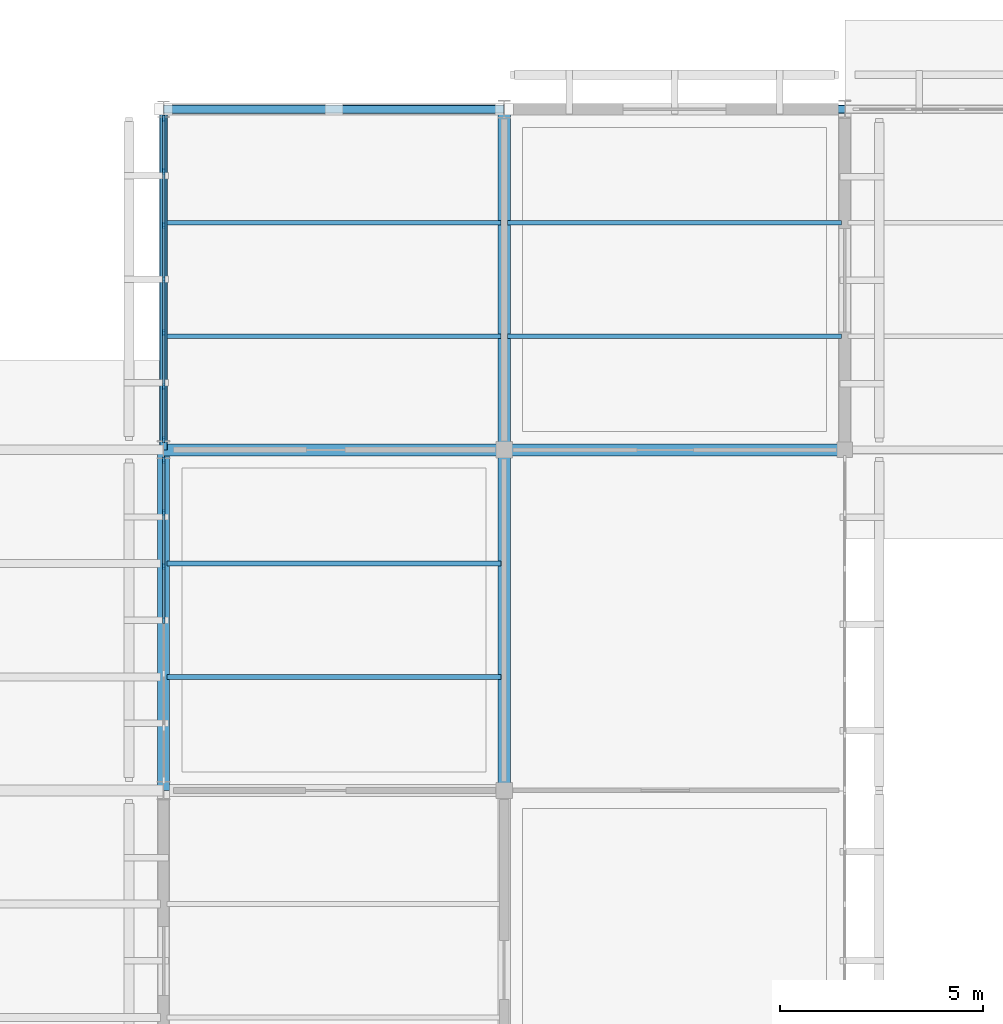
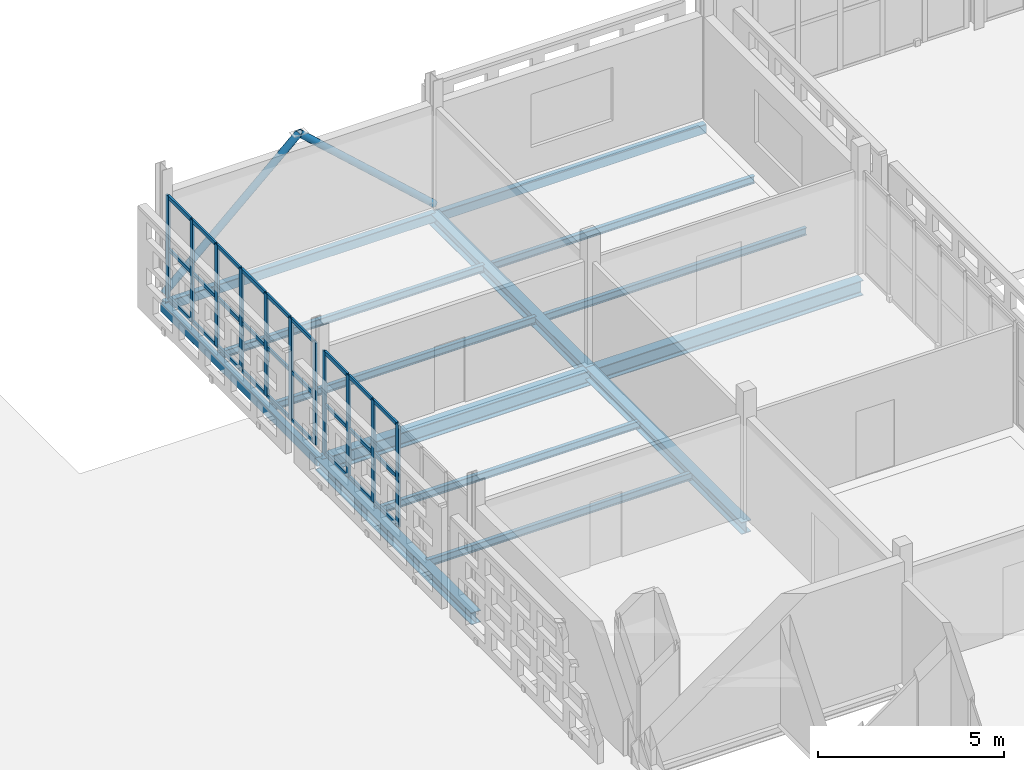
# One storey, part 42 of 166: 40 members, 14 beams, 2 elements without a shape of their own.
"""IFC4 building model written with IfcOpenShell, lengths in metres."""

from ifc_helpers import new_model, si_unit, direction, frame, origin, origin_2d, place, context, subcontext, project, spatial, rectangle, hollow_rectangle, hollow_circle, i_section, extrude, material, layer, layer_set, material_profile, profile_set, type_object, element, aggregate, save


model = new_model("IFC4")

# Units and contexts
model_context = context("Model", 3, precision=1e-05, world=origin(), true_north=direction((0.0, 1.0)))
body_context = subcontext(model_context, "Body", "Model", "MODEL_VIEW")
ifc_project = project(units=[si_unit("LENGTHUNIT", "METRE"), si_unit("AREAUNIT", "SQUARE_METRE"), si_unit("VOLUMEUNIT", "CUBIC_METRE"), si_unit("PLANEANGLEUNIT", "RADIAN"), si_unit("MASSUNIT", "GRAM", prefix="KILO")], contexts=[model_context])

# Site, building, storey
site_placement = place(None, origin())
site = spatial("IfcSite", under=ifc_project, at=site_placement, CompositionType="ELEMENT")
building_placement = place(site_placement, origin())
building = spatial("IfcBuilding", under=site, at=building_placement, Name="Varnapada Polytechnic", CompositionType="ELEMENT")
storey_placement = place(building_placement, frame((0.0, 0.0, 9.60009765625)))
storey = spatial("IfcBuildingStorey", under=building, at=storey_placement, Name="L02", CompositionType="ELEMENT", Elevation=9.60009765625)

# Curtain wall, members
ifc_material_1 = material(Name="Double low-E laminated glass", Category="glass")
ifc_layer = layer(ifc_material_1, 0.159912109375)
ifc_layer_set = layer_set([ifc_layer], Name="Double low-E laminated glass")
curtain_wall_type = type_object("IfcCurtainWallType", Name="Curtain Wall CW-02", PredefinedType="NOTDEFINED", material=ifc_layer_set)
curtain_wall_1_placement = place(storey_placement, origin())
curtain_wall_1 = element("IfcCurtainWall", 1, at=curtain_wall_1_placement, inside=storey, type_object=curtain_wall_type, Name="L02 unitised curtain wall CW-02 (160)", PredefinedType="NOTDEFINED")
ifc_material_2 = material(Name="Anodised aluminium", Category="aluminium")
ifc_material_profile_1 = material_profile(ifc_material_2, rectangle(XDim=0.06005859375, YDim=0.159912109375, at=origin_2d()), Name="ALU M60x160")
ifc_profile_set_1 = profile_set([ifc_material_profile_1], Name="Anodised aluminium")
member_type_1 = type_object("IfcMemberType", Name="Mullion M-01", PredefinedType="MULLION", material=ifc_profile_set_1)
member_1_placement = place(storey_placement, frame((50.39990234375, 113.39990234375, 0.0), z_axis=(0.0, 0.0, 1.0), x_axis=(-1.0, 0.0, 0.0)))
member_1 = element("IfcMember", 2, at=member_1_placement, type_object=member_type_1, Name="CW-02 mullion 4", PredefinedType="MULLION", context=body_context, shape_type="SweptSolid", body=[
    extrude(rectangle(XDim=0.06005859375, YDim=0.159912109375, at=origin_2d()), origin(), (0.0, 0.0, 1.0), 3.35986328125),
])
member_2_placement = place(storey_placement, frame((50.39990234375, 114.72509765625, 0.0), z_axis=(0.0, 0.0, 1.0), x_axis=(-1.0, 0.0, 0.0)))
member_2 = element("IfcMember", 3, at=member_2_placement, type_object=member_type_1, Name="CW-02 mullion 5", PredefinedType="MULLION", context=body_context, shape_type="SweptSolid", body=[
    extrude(rectangle(XDim=0.06005859375, YDim=0.159912109375, at=origin_2d()), origin(), (0.0, 0.0, 1.0), 3.35986328125),
])
member_3_placement = place(storey_placement, frame((50.39990234375, 116.050048828125, 0.0), z_axis=(0.0, 0.0, 1.0), x_axis=(-1.0, 0.0, 0.0)))
member_3 = element("IfcMember", 4, at=member_3_placement, type_object=member_type_1, Name="CW-02 mullion 6", PredefinedType="MULLION", context=body_context, shape_type="SweptSolid", body=[
    extrude(rectangle(XDim=0.06005859375, YDim=0.159912109375, at=origin_2d()), origin(), (0.0, 0.0, 1.0), 3.35986328125),
])
member_4_placement = place(storey_placement, frame((50.39990234375, 117.344970703125, 0.0), z_axis=(0.0, 0.0, 1.0), x_axis=(-1.0, 0.0, 0.0)))
member_4 = element("IfcMember", 5, at=member_4_placement, type_object=member_type_1, Name="CW-02 mullion 7", PredefinedType="MULLION", context=body_context, shape_type="SweptSolid", body=[
    extrude(rectangle(XDim=0.06005859375, YDim=0.159912109375, at=origin_2d()), origin(), (0.0, 0.0, 1.0), 3.35986328125),
])

curtain_wall_2_placement = place(storey_placement, origin())
curtain_wall_2 = element("IfcCurtainWall", 6, at=curtain_wall_2_placement, inside=storey, type_object=curtain_wall_type, Name="L02 unitised curtain wall CW-02 (161)", PredefinedType="NOTDEFINED")
member_5_placement = place(storey_placement, frame((50.39990234375, 117.85498046875, 0.0), z_axis=(0.0, 0.0, 1.0), x_axis=(-1.0, 0.0, 0.0)))
member_5 = element("IfcMember", 7, at=member_5_placement, type_object=member_type_1, Name="CW-02 mullion 1", PredefinedType="MULLION", context=body_context, shape_type="SweptSolid", body=[
    extrude(rectangle(XDim=0.06005859375, YDim=0.159912109375, at=origin_2d()), origin(), (0.0, 0.0, 1.0), 3.35986328125),
])
member_6_placement = place(storey_placement, frame((50.39990234375, 119.154052734375, 0.0), z_axis=(0.0, 0.0, 1.0), x_axis=(-1.0, 0.0, 0.0)))
member_6 = element("IfcMember", 8, at=member_6_placement, type_object=member_type_1, Name="CW-02 mullion 2", PredefinedType="MULLION", context=body_context, shape_type="SweptSolid", body=[
    extrude(rectangle(XDim=0.06005859375, YDim=0.159912109375, at=origin_2d()), origin(), (0.0, 0.0, 1.0), 3.35986328125),
])
member_7_placement = place(storey_placement, frame((50.39990234375, 120.4833984375, 0.0), z_axis=(0.0, 0.0, 1.0), x_axis=(-1.0, 0.0, 0.0)))
member_7 = element("IfcMember", 9, at=member_7_placement, type_object=member_type_1, Name="CW-02 mullion 3", PredefinedType="MULLION", context=body_context, shape_type="SweptSolid", body=[
    extrude(rectangle(XDim=0.06005859375, YDim=0.159912109375, at=origin_2d()), origin(), (0.0, 0.0, 1.0), 3.35986328125),
])
member_8_placement = place(storey_placement, frame((50.39990234375, 121.8125, 0.0), z_axis=(0.0, 0.0, 1.0), x_axis=(-1.0, 0.0, 0.0)))
member_8 = element("IfcMember", 10, at=member_8_placement, type_object=member_type_1, Name="CW-02 mullion 4", PredefinedType="MULLION", context=body_context, shape_type="SweptSolid", body=[
    extrude(rectangle(XDim=0.06005859375, YDim=0.159912109375, at=origin_2d()), origin(), (0.0, 0.0, 1.0), 3.35986328125),
])
member_9_placement = place(storey_placement, frame((50.39990234375, 123.1416015625, 0.0), z_axis=(0.0, 0.0, 1.0), x_axis=(-1.0, 0.0, 0.0)))
member_9 = element("IfcMember", 11, at=member_9_placement, type_object=member_type_1, Name="CW-02 mullion 5", PredefinedType="MULLION", context=body_context, shape_type="SweptSolid", body=[
    extrude(rectangle(XDim=0.06005859375, YDim=0.159912109375, at=origin_2d()), origin(), (0.0, 0.0, 1.0), 3.35986328125),
])
member_10_placement = place(storey_placement, frame((50.39990234375, 124.470947265625, 0.0), z_axis=(0.0, 0.0, 1.0), x_axis=(-1.0, 0.0, 0.0)))
member_10 = element("IfcMember", 12, at=member_10_placement, type_object=member_type_1, Name="CW-02 mullion 6", PredefinedType="MULLION", context=body_context, shape_type="SweptSolid", body=[
    extrude(rectangle(XDim=0.06005859375, YDim=0.159912109375, at=origin_2d()), origin(), (0.0, 0.0, 1.0), 3.35986328125),
])
member_11_placement = place(storey_placement, frame((50.39990234375, 125.77001953125, 0.0), z_axis=(0.0, 0.0, 1.0), x_axis=(-1.0, 0.0, 0.0)))
member_11 = element("IfcMember", 13, at=member_11_placement, type_object=member_type_1, Name="CW-02 mullion 7", PredefinedType="MULLION", context=body_context, shape_type="SweptSolid", body=[
    extrude(rectangle(XDim=0.06005859375, YDim=0.159912109375, at=origin_2d()), origin(), (0.0, 0.0, 1.0), 3.35986328125),
])

# Beams
ifc_material_3 = material(Name="Steel S355", Category="steel")
ifc_material_profile_2 = material_profile(ifc_material_3, i_section(OverallWidth=0.300048828125, OverallDepth=0.389892578125, WebThickness=0.010986328125, FlangeThickness=0.01904296875, FilletRadius=0.027099609375, at=origin_2d()), Name="HEA 400")
ifc_profile_set_2 = profile_set([ifc_material_profile_2], Name="Steel S355")
beam_type_1 = type_object("IfcBeamType", Name="Steel roof primary girder SG-01 (HEA 400)", PredefinedType="BEAM", material=ifc_profile_set_2)
for number, where, z_axis, x_axis, name in (
    (14, (50.39990234375, 109.199951171875, -0.465087890625), (0.0, 1.0, 0.0), (-1.0, 0.0, 0.0), "L02 beam Y 14-15 at X7"),
    (15, (58.800048828125, 109.199951171875, -0.43505859375), (0.0, 1.0, 0.0), (-1.0, 0.0, 0.0), "L02 beam Y 14-15 at X8"),
):
    element("IfcBeam", number, at=place(storey_placement, frame(where, z_axis=z_axis, x_axis=x_axis)), inside=storey, type_object=beam_type_1, Name=name, PredefinedType="BEAM", context=body_context, shape_type="SweptSolid", body=[
        extrude(i_section(OverallWidth=0.300048828125, OverallDepth=0.389892578125, WebThickness=0.010986328125, FlangeThickness=0.01904296875, FilletRadius=0.027099609375, at=origin_2d()), origin(), (0.0, 0.0, 1.0), 8.400146484375),
    ])
beam_1_placement = place(storey_placement, frame((58.800048828125, 117.60009765625, -0.43505859375), z_axis=(0.0, 1.0, 0.0), x_axis=(-1.0, 0.0, 0.0)))
element("IfcBeam", 16, at=beam_1_placement, inside=storey, type_object=beam_type_1, Name="L02 beam Y 15-16 at X8", PredefinedType="BEAM", context=body_context, shape_type="SweptSolid", body=[
    extrude(i_section(OverallWidth=0.300048828125, OverallDepth=0.389892578125, WebThickness=0.010986328125, FlangeThickness=0.01904296875, FilletRadius=0.027099609375, at=origin_2d()), origin(), (0.0, 0.0, 1.0), 8.39990234375),
])

# Member
ifc_material_profile_3 = material_profile(ifc_material_2, rectangle(XDim=0.06005859375, YDim=0.1201171875, at=origin_2d()), Name="ALU T60x120")
ifc_profile_set_3 = profile_set([ifc_material_profile_3], Name="Anodised aluminium")
member_type_2 = type_object("IfcMemberType", Name="Transom T-01", PredefinedType="USERDEFINED", material=ifc_profile_set_3)
member_12_placement = place(storey_placement, frame((50.39990234375, 113.429931640625, 0.02978515625), z_axis=(0.0, 1.0, 0.0), x_axis=(-1.0, 0.0, 0.0)))
member_12 = element("IfcMember", 17, at=member_12_placement, type_object=member_type_2, Name="CW-02 transom 4.1", ObjectType="TRANSOM", PredefinedType="USERDEFINED", context=body_context, shape_type="SweptSolid", body=[
    extrude(rectangle(XDim=0.06005859375, YDim=0.1201171875, at=origin_2d()), origin(), (0.0, 0.0, 1.0), 1.26513671875),
])

member_13_placement = place(storey_placement, frame((50.39990234375, 113.429931640625, 1.61279296875), z_axis=(0.0, 1.0, 0.0), x_axis=(-1.0, 0.0, 0.0)))
member_13 = element("IfcMember", 18, at=member_13_placement, type_object=member_type_2, Name="CW-02 transom 4.2", ObjectType="TRANSOM", PredefinedType="USERDEFINED", context=body_context, shape_type="SweptSolid", body=[
    extrude(rectangle(XDim=0.06005859375, YDim=0.1201171875, at=origin_2d()), origin(), (0.0, 0.0, 1.0), 1.26513671875),
])

member_14_placement = place(storey_placement, frame((50.39990234375, 113.429931640625, 3.329833984375), z_axis=(0.0, 1.0, 0.0), x_axis=(-1.0, 0.0, 0.0)))
member_14 = element("IfcMember", 19, at=member_14_placement, type_object=member_type_2, Name="CW-02 transom 4.3", ObjectType="TRANSOM", PredefinedType="USERDEFINED", context=body_context, shape_type="SweptSolid", body=[
    extrude(rectangle(XDim=0.06005859375, YDim=0.1201171875, at=origin_2d()), origin(), (0.0, 0.0, 1.0), 1.26513671875),
])

member_15_placement = place(storey_placement, frame((50.39990234375, 114.7548828125, 0.02978515625), z_axis=(0.0, 1.0, 0.0), x_axis=(-1.0, 0.0, 0.0)))
member_15 = element("IfcMember", 20, at=member_15_placement, type_object=member_type_2, Name="CW-02 transom 5.1", ObjectType="TRANSOM", PredefinedType="USERDEFINED", context=body_context, shape_type="SweptSolid", body=[
    extrude(rectangle(XDim=0.06005859375, YDim=0.1201171875, at=origin_2d()), origin(), (0.0, 0.0, 1.0), 1.26513671875),
])

member_16_placement = place(storey_placement, frame((50.39990234375, 114.7548828125, 1.61279296875), z_axis=(0.0, 1.0, 0.0), x_axis=(-1.0, 0.0, 0.0)))
member_16 = element("IfcMember", 21, at=member_16_placement, type_object=member_type_2, Name="CW-02 transom 5.2", ObjectType="TRANSOM", PredefinedType="USERDEFINED", context=body_context, shape_type="SweptSolid", body=[
    extrude(rectangle(XDim=0.06005859375, YDim=0.1201171875, at=origin_2d()), origin(), (0.0, 0.0, 1.0), 1.26513671875),
])

member_17_placement = place(storey_placement, frame((50.39990234375, 114.7548828125, 3.329833984375), z_axis=(0.0, 1.0, 0.0), x_axis=(-1.0, 0.0, 0.0)))
member_17 = element("IfcMember", 22, at=member_17_placement, type_object=member_type_2, Name="CW-02 transom 5.3", ObjectType="TRANSOM", PredefinedType="USERDEFINED", context=body_context, shape_type="SweptSolid", body=[
    extrude(rectangle(XDim=0.06005859375, YDim=0.1201171875, at=origin_2d()), origin(), (0.0, 0.0, 1.0), 1.26513671875),
])

member_18_placement = place(storey_placement, frame((50.39990234375, 116.080078125, 0.02978515625), z_axis=(0.0, 1.0, 0.0), x_axis=(-1.0, 0.0, 0.0)))
member_18 = element("IfcMember", 23, at=member_18_placement, type_object=member_type_2, Name="CW-02 transom 6.1", ObjectType="TRANSOM", PredefinedType="USERDEFINED", context=body_context, shape_type="SweptSolid", body=[
    extrude(rectangle(XDim=0.06005859375, YDim=0.1201171875, at=origin_2d()), origin(), (0.0, 0.0, 1.0), 1.23486328125),
])

member_19_placement = place(storey_placement, frame((50.39990234375, 116.080078125, 1.61279296875), z_axis=(0.0, 1.0, 0.0), x_axis=(-1.0, 0.0, 0.0)))
member_19 = element("IfcMember", 24, at=member_19_placement, type_object=member_type_2, Name="CW-02 transom 6.2", ObjectType="TRANSOM", PredefinedType="USERDEFINED", context=body_context, shape_type="SweptSolid", body=[
    extrude(rectangle(XDim=0.06005859375, YDim=0.1201171875, at=origin_2d()), origin(), (0.0, 0.0, 1.0), 1.23486328125),
])

member_20_placement = place(storey_placement, frame((50.39990234375, 116.080078125, 3.329833984375), z_axis=(0.0, 1.0, 0.0), x_axis=(-1.0, 0.0, 0.0)))
member_20 = element("IfcMember", 25, at=member_20_placement, type_object=member_type_2, Name="CW-02 transom 6.3", ObjectType="TRANSOM", PredefinedType="USERDEFINED", context=body_context, shape_type="SweptSolid", body=[
    extrude(rectangle(XDim=0.06005859375, YDim=0.1201171875, at=origin_2d()), origin(), (0.0, 0.0, 1.0), 1.23486328125),
])

aggregate(curtain_wall_1, [member_1, member_2, member_3, member_4, member_12, member_13, member_14, member_15, member_16, member_17, member_18, member_19, member_20])

member_21_placement = place(storey_placement, frame((50.39990234375, 117.885009765625, 0.02978515625), z_axis=(0.0, 1.0, 0.0), x_axis=(-1.0, 0.0, 0.0)))
member_21 = element("IfcMember", 26, at=member_21_placement, type_object=member_type_2, Name="CW-02 transom 1.1", ObjectType="TRANSOM", PredefinedType="USERDEFINED", context=body_context, shape_type="SweptSolid", body=[
    extrude(rectangle(XDim=0.06005859375, YDim=0.1201171875, at=origin_2d()), origin(), (0.0, 0.0, 1.0), 1.2392578125),
])

member_22_placement = place(storey_placement, frame((50.39990234375, 117.885009765625, 1.61279296875), z_axis=(0.0, 1.0, 0.0), x_axis=(-1.0, 0.0, 0.0)))
member_22 = element("IfcMember", 27, at=member_22_placement, type_object=member_type_2, Name="CW-02 transom 1.2", ObjectType="TRANSOM", PredefinedType="USERDEFINED", context=body_context, shape_type="SweptSolid", body=[
    extrude(rectangle(XDim=0.06005859375, YDim=0.1201171875, at=origin_2d()), origin(), (0.0, 0.0, 1.0), 1.2392578125),
])

member_23_placement = place(storey_placement, frame((50.39990234375, 117.885009765625, 3.329833984375), z_axis=(0.0, 1.0, 0.0), x_axis=(-1.0, 0.0, 0.0)))
member_23 = element("IfcMember", 28, at=member_23_placement, type_object=member_type_2, Name="CW-02 transom 1.3", ObjectType="TRANSOM", PredefinedType="USERDEFINED", context=body_context, shape_type="SweptSolid", body=[
    extrude(rectangle(XDim=0.06005859375, YDim=0.1201171875, at=origin_2d()), origin(), (0.0, 0.0, 1.0), 1.2392578125),
])

member_24_placement = place(storey_placement, frame((50.39990234375, 119.18408203125, 0.02978515625), z_axis=(0.0, 1.0, 0.0), x_axis=(-1.0, 0.0, 0.0)))
member_24 = element("IfcMember", 29, at=member_24_placement, type_object=member_type_2, Name="CW-02 transom 2.1", ObjectType="TRANSOM", PredefinedType="USERDEFINED", context=body_context, shape_type="SweptSolid", body=[
    extrude(rectangle(XDim=0.06005859375, YDim=0.1201171875, at=origin_2d()), origin(), (0.0, 0.0, 1.0), 1.269287109375),
])

member_25_placement = place(storey_placement, frame((50.39990234375, 119.18408203125, 1.61279296875), z_axis=(0.0, 1.0, 0.0), x_axis=(-1.0, 0.0, 0.0)))
member_25 = element("IfcMember", 30, at=member_25_placement, type_object=member_type_2, Name="CW-02 transom 2.2", ObjectType="TRANSOM", PredefinedType="USERDEFINED", context=body_context, shape_type="SweptSolid", body=[
    extrude(rectangle(XDim=0.06005859375, YDim=0.1201171875, at=origin_2d()), origin(), (0.0, 0.0, 1.0), 1.269287109375),
])

member_26_placement = place(storey_placement, frame((50.39990234375, 119.18408203125, 3.329833984375), z_axis=(0.0, 1.0, 0.0), x_axis=(-1.0, 0.0, 0.0)))
member_26 = element("IfcMember", 31, at=member_26_placement, type_object=member_type_2, Name="CW-02 transom 2.3", ObjectType="TRANSOM", PredefinedType="USERDEFINED", context=body_context, shape_type="SweptSolid", body=[
    extrude(rectangle(XDim=0.06005859375, YDim=0.1201171875, at=origin_2d()), origin(), (0.0, 0.0, 1.0), 1.269287109375),
])

member_27_placement = place(storey_placement, frame((50.39990234375, 120.513427734375, 0.02978515625), z_axis=(0.0, 1.0, 0.0), x_axis=(-1.0, 0.0, 0.0)))
member_27 = element("IfcMember", 32, at=member_27_placement, type_object=member_type_2, Name="CW-02 transom 3.1", ObjectType="TRANSOM", PredefinedType="USERDEFINED", context=body_context, shape_type="SweptSolid", body=[
    extrude(rectangle(XDim=0.06005859375, YDim=0.1201171875, at=origin_2d()), origin(), (0.0, 0.0, 1.0), 1.26904296875),
])

member_28_placement = place(storey_placement, frame((50.39990234375, 120.513427734375, 1.61279296875), z_axis=(0.0, 1.0, 0.0), x_axis=(-1.0, 0.0, 0.0)))
member_28 = element("IfcMember", 33, at=member_28_placement, type_object=member_type_2, Name="CW-02 transom 3.2", ObjectType="TRANSOM", PredefinedType="USERDEFINED", context=body_context, shape_type="SweptSolid", body=[
    extrude(rectangle(XDim=0.06005859375, YDim=0.1201171875, at=origin_2d()), origin(), (0.0, 0.0, 1.0), 1.26904296875),
])

member_29_placement = place(storey_placement, frame((50.39990234375, 120.513427734375, 3.329833984375), z_axis=(0.0, 1.0, 0.0), x_axis=(-1.0, 0.0, 0.0)))
member_29 = element("IfcMember", 34, at=member_29_placement, type_object=member_type_2, Name="CW-02 transom 3.3", ObjectType="TRANSOM", PredefinedType="USERDEFINED", context=body_context, shape_type="SweptSolid", body=[
    extrude(rectangle(XDim=0.06005859375, YDim=0.1201171875, at=origin_2d()), origin(), (0.0, 0.0, 1.0), 1.26904296875),
])

member_30_placement = place(storey_placement, frame((50.39990234375, 121.842529296875, 0.02978515625), z_axis=(0.0, 1.0, 0.0), x_axis=(-1.0, 0.0, 0.0)))
member_30 = element("IfcMember", 35, at=member_30_placement, type_object=member_type_2, Name="CW-02 transom 4.1", ObjectType="TRANSOM", PredefinedType="USERDEFINED", context=body_context, shape_type="SweptSolid", body=[
    extrude(rectangle(XDim=0.06005859375, YDim=0.1201171875, at=origin_2d()), origin(), (0.0, 0.0, 1.0), 1.26904296875),
])

member_31_placement = place(storey_placement, frame((50.39990234375, 121.842529296875, 1.61279296875), z_axis=(0.0, 1.0, 0.0), x_axis=(-1.0, 0.0, 0.0)))
member_31 = element("IfcMember", 36, at=member_31_placement, type_object=member_type_2, Name="CW-02 transom 4.2", ObjectType="TRANSOM", PredefinedType="USERDEFINED", context=body_context, shape_type="SweptSolid", body=[
    extrude(rectangle(XDim=0.06005859375, YDim=0.1201171875, at=origin_2d()), origin(), (0.0, 0.0, 1.0), 1.26904296875),
])

member_32_placement = place(storey_placement, frame((50.39990234375, 121.842529296875, 3.329833984375), z_axis=(0.0, 1.0, 0.0), x_axis=(-1.0, 0.0, 0.0)))
member_32 = element("IfcMember", 37, at=member_32_placement, type_object=member_type_2, Name="CW-02 transom 4.3", ObjectType="TRANSOM", PredefinedType="USERDEFINED", context=body_context, shape_type="SweptSolid", body=[
    extrude(rectangle(XDim=0.06005859375, YDim=0.1201171875, at=origin_2d()), origin(), (0.0, 0.0, 1.0), 1.26904296875),
])

member_33_placement = place(storey_placement, frame((50.39990234375, 123.171630859375, 0.02978515625), z_axis=(0.0, 1.0, 0.0), x_axis=(-1.0, 0.0, 0.0)))
member_33 = element("IfcMember", 38, at=member_33_placement, type_object=member_type_2, Name="CW-02 transom 5.1", ObjectType="TRANSOM", PredefinedType="USERDEFINED", context=body_context, shape_type="SweptSolid", body=[
    extrude(rectangle(XDim=0.06005859375, YDim=0.1201171875, at=origin_2d()), origin(), (0.0, 0.0, 1.0), 1.269287109375),
])

member_34_placement = place(storey_placement, frame((50.39990234375, 123.171630859375, 1.61279296875), z_axis=(0.0, 1.0, 0.0), x_axis=(-1.0, 0.0, 0.0)))
member_34 = element("IfcMember", 39, at=member_34_placement, type_object=member_type_2, Name="CW-02 transom 5.2", ObjectType="TRANSOM", PredefinedType="USERDEFINED", context=body_context, shape_type="SweptSolid", body=[
    extrude(rectangle(XDim=0.06005859375, YDim=0.1201171875, at=origin_2d()), origin(), (0.0, 0.0, 1.0), 1.269287109375),
])

member_35_placement = place(storey_placement, frame((50.39990234375, 123.171630859375, 3.329833984375), z_axis=(0.0, 1.0, 0.0), x_axis=(-1.0, 0.0, 0.0)))
member_35 = element("IfcMember", 40, at=member_35_placement, type_object=member_type_2, Name="CW-02 transom 5.3", ObjectType="TRANSOM", PredefinedType="USERDEFINED", context=body_context, shape_type="SweptSolid", body=[
    extrude(rectangle(XDim=0.06005859375, YDim=0.1201171875, at=origin_2d()), origin(), (0.0, 0.0, 1.0), 1.269287109375),
])

member_36_placement = place(storey_placement, frame((50.39990234375, 124.500732421875, 0.02978515625), z_axis=(0.0, 1.0, 0.0), x_axis=(-1.0, 0.0, 0.0)))
member_36 = element("IfcMember", 41, at=member_36_placement, type_object=member_type_2, Name="CW-02 transom 6.1", ObjectType="TRANSOM", PredefinedType="USERDEFINED", context=body_context, shape_type="SweptSolid", body=[
    extrude(rectangle(XDim=0.06005859375, YDim=0.1201171875, at=origin_2d()), origin(), (0.0, 0.0, 1.0), 1.2392578125),
])

member_37_placement = place(storey_placement, frame((50.39990234375, 124.500732421875, 1.61279296875), z_axis=(0.0, 1.0, 0.0), x_axis=(-1.0, 0.0, 0.0)))
member_37 = element("IfcMember", 42, at=member_37_placement, type_object=member_type_2, Name="CW-02 transom 6.2", ObjectType="TRANSOM", PredefinedType="USERDEFINED", context=body_context, shape_type="SweptSolid", body=[
    extrude(rectangle(XDim=0.06005859375, YDim=0.1201171875, at=origin_2d()), origin(), (0.0, 0.0, 1.0), 1.2392578125),
])

member_38_placement = place(storey_placement, frame((50.39990234375, 124.500732421875, 3.329833984375), z_axis=(0.0, 1.0, 0.0), x_axis=(-1.0, 0.0, 0.0)))
member_38 = element("IfcMember", 43, at=member_38_placement, type_object=member_type_2, Name="CW-02 transom 6.3", ObjectType="TRANSOM", PredefinedType="USERDEFINED", context=body_context, shape_type="SweptSolid", body=[
    extrude(rectangle(XDim=0.06005859375, YDim=0.1201171875, at=origin_2d()), origin(), (0.0, 0.0, 1.0), 1.2392578125),
])

aggregate(curtain_wall_2, [member_5, member_6, member_7, member_8, member_9, member_10, member_11, member_21, member_22, member_23, member_24, member_25, member_26, member_27, member_28, member_29, member_30, member_31, member_32, member_33, member_34, member_35, member_36, member_37, member_38])

# Beams
ifc_material_profile_4 = material_profile(ifc_material_3, i_section(OverallWidth=0.1201171875, OverallDepth=0.239990234375, WebThickness=0.006103515625, FlangeThickness=0.009765625, FilletRadius=0.014892578125, at=origin_2d()), Name="IPE 240")
ifc_profile_set_4 = profile_set([ifc_material_profile_4], Name="Steel S355")
beam_type_2 = type_object("IfcBeamType", Name="Workshop gallery composite joist SJ-01 (IPE 240)", PredefinedType="JOIST", material=ifc_profile_set_4)
for number, where, z_axis, x_axis, name in (
    (44, (50.47998046875, 112.0, -0.39013671875), (1.0, 0.0, 0.0), (0.0, 1.0, 0.0), "L02 floor joist 7/14.1"),
    (45, (50.47998046875, 114.800048828125, -0.39013671875), (1.0, 0.0, 0.0), (0.0, 1.0, 0.0), "L02 floor joist 7/14.2"),
    (46, (50.47998046875, 120.39990234375, -0.360107421875), (1.0, 0.0, 0.0), (0.0, 1.0, 0.0), "L02 floor joist 7/15.1"),
    (47, (50.47998046875, 123.199951171875, -0.360107421875), (1.0, 0.0, 0.0), (0.0, 1.0, 0.0), "L02 floor joist 7/15.2"),
):
    element("IfcBeam", number, at=place(storey_placement, frame(where, z_axis=z_axis, x_axis=x_axis)), inside=storey, type_object=beam_type_2, Name=name, PredefinedType="JOIST", context=body_context, shape_type="SweptSolid", body=[
        extrude(i_section(OverallWidth=0.1201171875, OverallDepth=0.239990234375, WebThickness=0.006103515625, FlangeThickness=0.009765625, FilletRadius=0.014892578125, at=origin_2d()), origin(), (0.0, 0.0, 1.0), 8.239990234375),
    ])
for number, where, z_axis, x_axis, name in (
    (48, (58.8798828125, 120.39990234375, -0.39013671875), (1.0, 0.0, 0.0), (0.0, 1.0, 0.0), "L02 floor joist 8/15.1"),
    (49, (58.8798828125, 123.199951171875, -0.39013671875), (1.0, 0.0, 0.0), (0.0, 1.0, 0.0), "L02 floor joist 8/15.2"),
):
    element("IfcBeam", number, at=place(storey_placement, frame(where, z_axis=z_axis, x_axis=x_axis)), inside=storey, type_object=beam_type_2, Name=name, PredefinedType="JOIST", context=body_context, shape_type="SweptSolid", body=[
        extrude(i_section(OverallWidth=0.1201171875, OverallDepth=0.239990234375, WebThickness=0.006103515625, FlangeThickness=0.009765625, FilletRadius=0.014892578125, at=origin_2d()), origin(), (0.0, 0.0, 1.0), 8.240234375),
    ])
ifc_material_profile_5 = material_profile(ifc_material_3, i_section(OverallWidth=0.300048828125, OverallDepth=0.489990234375, WebThickness=0.011962890625, FlangeThickness=0.02294921875, FilletRadius=0.027099609375, at=origin_2d()), Name="HEA 500")
ifc_profile_set_5 = profile_set([ifc_material_profile_5], Name="Steel S355")
beam_type_3 = type_object("IfcBeamType", Name="Workshop gallery edge girder CR-02 (HEA 500)", PredefinedType="BEAM", material=ifc_profile_set_5)
beam_2_placement = place(storey_placement, frame((50.39990234375, 117.60009765625, -0.51513671875), z_axis=(1.0, 0.0, 0.0), x_axis=(0.0, 1.0, 0.0)))
element("IfcBeam", 50, at=beam_2_placement, inside=storey, type_object=beam_type_3, Name="L02 beam X 7-8 at Y15", PredefinedType="BEAM", context=body_context, shape_type="SweptSolid", body=[
    extrude(i_section(OverallWidth=0.300048828125, OverallDepth=0.489990234375, WebThickness=0.011962890625, FlangeThickness=0.02294921875, FilletRadius=0.027099609375, at=origin_2d()), origin(), (0.0, 0.0, 1.0), 8.400146484375),
])
beam_3_placement = place(storey_placement, frame((58.800048828125, 117.60009765625, -0.51513671875), z_axis=(1.0, 0.0, 0.0), x_axis=(0.0, 1.0, 0.0)))
element("IfcBeam", 51, at=beam_3_placement, inside=storey, type_object=beam_type_3, Name="L02 beam X 8-9 at Y15", PredefinedType="BEAM", context=body_context, shape_type="SweptSolid", body=[
    extrude(i_section(OverallWidth=0.300048828125, OverallDepth=0.489990234375, WebThickness=0.011962890625, FlangeThickness=0.02294921875, FilletRadius=0.027099609375, at=origin_2d()), origin(), (0.0, 0.0, 1.0), 8.39990234375),
])

# Members
ifc_material_profile_6 = material_profile(ifc_material_3, hollow_circle(Radius=0.109619140625, WallThickness=0.008056640625, at=origin_2d()), Name="CHS 219.1x8.0")
ifc_profile_set_6 = profile_set([ifc_material_profile_6], Name="Steel S355")
member_type_3 = type_object("IfcMemberType", Name="Workshop hall lateral K/X wall brace BR-01 (CHS 219.1x8.0)", PredefinedType="BRACE", material=ifc_profile_set_6)
for number, where, z_axis, x_axis, name in (
    (52, (50.39990234375, 126.0, 0.0), (0.74156845591, 0.0, 0.670877205753), (0.0, 1.0, 0.0), "L02 lateral chevron brace 5A"),
    (53, (58.800048828125, 126.0, 0.0), (-0.741549054705, 0.0, 0.670898650667), (0.0, -1.0, 0.0), "L02 lateral chevron brace 5B"),
):
    element("IfcMember", number, at=place(storey_placement, frame(where, z_axis=z_axis, x_axis=x_axis)), inside=storey, type_object=member_type_3, Name=name, PredefinedType="BRACE", context=body_context, shape_type="SweptSolid", body=[
        extrude(hollow_circle(Radius=0.109619140625, WallThickness=0.008056640625, at=origin_2d()), origin(), (0.0, 0.0, 1.0), 5.663818359375),
    ])

# Beams
ifc_material_profile_7 = material_profile(ifc_material_3, hollow_rectangle(XDim=0.199951171875, YDim=0.300048828125, WallThickness=0.010009765625, InnerFilletRadius=0.010009765625, OuterFilletRadius=0.02001953125, at=origin_2d()), Name="RHS 300x200x10")
ifc_profile_set_7 = profile_set([ifc_material_profile_7], Name="Steel S355")
beam_type_4 = type_object("IfcBeamType", Name="Workshop steel spandrel tie SP-03 (RHS 300x200x10)", PredefinedType="SPANDREL", material=ifc_profile_set_7)
beam_4_placement = place(storey_placement, frame((50.39990234375, 126.0, -0.39013671875), z_axis=(1.0, 0.0, 0.0), x_axis=(0.0, 1.0, 0.0)))
element("IfcBeam", 54, at=beam_4_placement, inside=storey, type_object=beam_type_4, Name="L02 beam X 7-8 at Y16", PredefinedType="SPANDREL", context=body_context, shape_type="SweptSolid", body=[
    extrude(hollow_rectangle(XDim=0.199951171875, YDim=0.300048828125, WallThickness=0.010009765625, InnerFilletRadius=0.010009765625, OuterFilletRadius=0.02001953125, at=origin_2d()), origin(), (0.0, 0.0, 1.0), 8.400146484375),
])
for number, where, z_axis, x_axis, name in (
    (55, (58.800048828125, 126.0, -0.420166015625), (1.0, 0.0, 0.0), (0.0, 1.0, 0.0), "L02 beam X 8-9 at Y16"),
    (56, (50.39990234375, 117.60009765625, -0.420166015625), (0.0, 1.0, 0.0), (-1.0, 0.0, 0.0), "L02 beam Y 15-16 at X7"),
):
    element("IfcBeam", number, at=place(storey_placement, frame(where, z_axis=z_axis, x_axis=x_axis)), inside=storey, type_object=beam_type_4, Name=name, PredefinedType="SPANDREL", context=body_context, shape_type="SweptSolid", body=[
        extrude(hollow_rectangle(XDim=0.199951171875, YDim=0.300048828125, WallThickness=0.010009765625, InnerFilletRadius=0.010009765625, OuterFilletRadius=0.02001953125, at=origin_2d()), origin(), (0.0, 0.0, 1.0), 8.39990234375),
    ])

save(model, "model.ifc")
